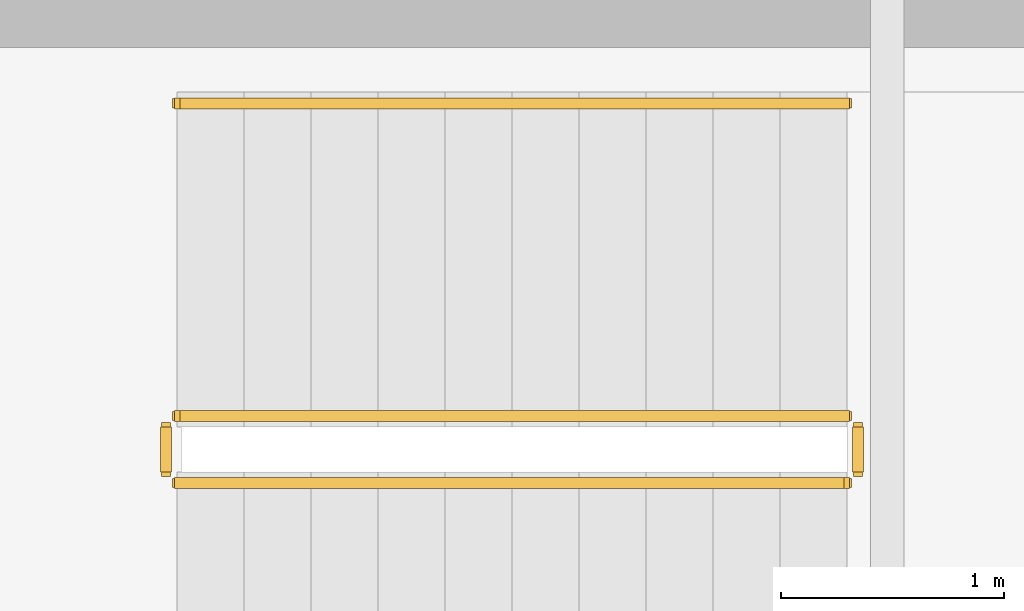
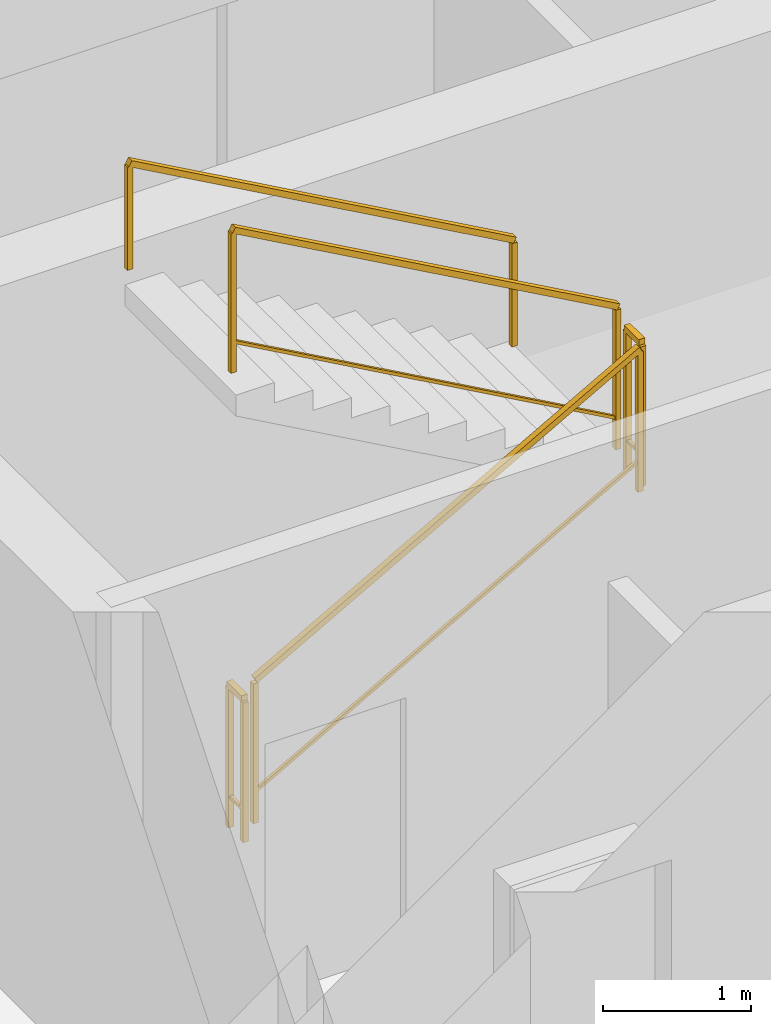
# One storey, part 10 of 10: 5 railings.
"""IFC4 building model written with IfcOpenShell, lengths in metres."""

from ifc_helpers import new_model, si_unit, direction, frame, origin, origin_2d, place, context, subcontext, project, spatial, rectangle, extrude, material, type_object, element, save


model = new_model("IFC4")

# Units and contexts
model_context = context("Model", 3, precision=1e-05, world=origin(), true_north=direction((0.0, 1.0)))
body_context = subcontext(model_context, "Body", "Model", "MODEL_VIEW")
ifc_project = project(units=[si_unit("LENGTHUNIT", "METRE"), si_unit("AREAUNIT", "SQUARE_METRE"), si_unit("VOLUMEUNIT", "CUBIC_METRE"), si_unit("PLANEANGLEUNIT", "RADIAN"), si_unit("MASSUNIT", "GRAM", prefix="KILO")], contexts=[model_context])

# Site, building, storey
site_placement = place(None, origin())
site = spatial("IfcSite", under=ifc_project, at=site_placement, CompositionType="ELEMENT")
building_placement = place(site_placement, origin())
building = spatial("IfcBuilding", under=site, at=building_placement, Name="Svetorya Sky Lyceum", CompositionType="ELEMENT")
storey_placement = place(building_placement, frame((0.0, 0.0, 188.5)))
storey = spatial("IfcBuildingStorey", under=building, at=storey_placement, Name="L47", CompositionType="ELEMENT", Elevation=188.5)

# Railings
ifc_material_1 = material(Name="Painted galvanized stair well guard")
railing_type_1 = type_object("IfcRailingType", Name="RL-STR-GUARD-1200", PredefinedType="GUARDRAIL", material=ifc_material_1)
railing_1_placement = place(storey_placement, frame((27.699951171875, 43.60009765625, 0.168212890625)))
element("IfcRailing", 1, at=railing_1_placement, inside=storey, type_object=railing_type_1, Name="L47 ST-N stair guard 1", PredefinedType="GUARDRAIL", context=body_context, shape_type="SweptSolid", body=[
    extrude(rectangle(XDim=0.048095703125, YDim=0.048095703125, at=origin_2d()), frame((0.0, 0.0, 1.17578125), z_axis=(0.872272294576, 0.0, 0.489020494575), x_axis=(0.0, 1.0, 0.0)), (0.0, 0.0, 1.0), 3.439208984375),
    extrude(rectangle(XDim=0.02392578125, YDim=0.02392578125, at=origin_2d()), frame((0.0, 0.0, 0.25), z_axis=(0.872272294576, 0.0, 0.489020494575), x_axis=(0.0, 1.0, 0.0)), (0.0, 0.0, 1.0), 3.439208984375),
    extrude(rectangle(XDim=0.0419921875, YDim=0.0419921875, at=origin_2d()), origin(), (0.0, 0.0, 1.0), 1.15185546875),
    extrude(rectangle(XDim=0.0419921875, YDim=0.0419921875, at=origin_2d()), frame((3.0, 0.0, 1.681884765625)), (0.0, 0.0, 1.0), 1.15185546875),
])
railing_2_placement = place(storey_placement, frame((30.75, 43.64990234375, 1.85009765625)))
element("IfcRailing", 2, at=railing_2_placement, inside=storey, type_object=railing_type_1, Name="L47 ST-N stair guard 2", PredefinedType="GUARDRAIL", context=body_context, shape_type="SweptSolid", body=[
    extrude(rectangle(XDim=0.048095703125, YDim=0.048095703125, at=origin_2d()), frame((0.0, 0.0, 1.17578125), z_axis=(0.0, 1.0, 0.0), x_axis=(-1.0, 0.0, 0.0)), (0.0, 0.0, 1.0), 0.2001953125),
    extrude(rectangle(XDim=0.02392578125, YDim=0.02392578125, at=origin_2d()), frame((0.0, 0.0, 0.25), z_axis=(0.0, 1.0, 0.0), x_axis=(-1.0, 0.0, 0.0)), (0.0, 0.0, 1.0), 0.2001953125),
    extrude(rectangle(XDim=0.0419921875, YDim=0.0419921875, at=origin_2d()), origin(), (0.0, 0.0, 1.0), 1.15185546875),
    extrude(rectangle(XDim=0.0419921875, YDim=0.0419921875, at=origin_2d()), frame((0.0, 0.2001953125, 0.0)), (0.0, 0.0, 1.0), 1.15185546875),
])
railing_3_placement = place(storey_placement, frame((30.699951171875, 43.89990234375, 2.01806640625)))
element("IfcRailing", 3, at=railing_3_placement, inside=storey, type_object=railing_type_1, Name="L47 ST-N stair guard 3", PredefinedType="GUARDRAIL", context=body_context, shape_type="SweptSolid", body=[
    extrude(rectangle(XDim=0.048095703125, YDim=0.048095703125, at=origin_2d()), frame((0.0, 0.0, 1.17578125), z_axis=(-0.872272294576, 0.0, 0.489020494575), x_axis=(0.0, -1.0, 0.0)), (0.0, 0.0, 1.0), 3.439208984375),
    extrude(rectangle(XDim=0.02392578125, YDim=0.02392578125, at=origin_2d()), frame((0.0, 0.0, 0.25), z_axis=(-0.872272294576, 0.0, 0.489020494575), x_axis=(0.0, -1.0, 0.0)), (0.0, 0.0, 1.0), 3.439208984375),
    extrude(rectangle(XDim=0.0419921875, YDim=0.0419921875, at=origin_2d()), origin(), (0.0, 0.0, 1.0), 1.15185546875),
    extrude(rectangle(XDim=0.0419921875, YDim=0.0419921875, at=origin_2d()), frame((-3.0, 0.0, 1.681884765625)), (0.0, 0.0, 1.0), 1.15185546875),
])
railing_4_placement = place(storey_placement, frame((27.64990234375, 43.64990234375, 0.0)))
element("IfcRailing", 4, at=railing_4_placement, inside=storey, type_object=railing_type_1, Name="L47 ST-N stair guard 4", PredefinedType="GUARDRAIL", context=body_context, shape_type="SweptSolid", body=[
    extrude(rectangle(XDim=0.048095703125, YDim=0.048095703125, at=origin_2d()), frame((0.0, 0.0, 1.17578125), z_axis=(0.0, 1.0, 0.0), x_axis=(-1.0, 0.0, 0.0)), (0.0, 0.0, 1.0), 0.2001953125),
    extrude(rectangle(XDim=0.02392578125, YDim=0.02392578125, at=origin_2d()), frame((0.0, 0.0, 0.25), z_axis=(0.0, 1.0, 0.0), x_axis=(-1.0, 0.0, 0.0)), (0.0, 0.0, 1.0), 0.2001953125),
    extrude(rectangle(XDim=0.0419921875, YDim=0.0419921875, at=origin_2d()), origin(), (0.0, 0.0, 1.0), 1.15185546875),
    extrude(rectangle(XDim=0.0419921875, YDim=0.0419921875, at=origin_2d()), frame((0.0, 0.2001953125, 0.0)), (0.0, 0.0, 1.0), 1.15185546875),
])
ifc_material_2 = material(Name="Brushed stainless AISI 304 stair handrail")
railing_type_2 = type_object("IfcRailingType", Name="RL-STR-HAND-920", PredefinedType="HANDRAIL", material=ifc_material_2)
railing_5_placement = place(storey_placement, frame((30.699951171875, 45.300048828125, 2.01806640625)))
element("IfcRailing", 5, at=railing_5_placement, inside=storey, type_object=railing_type_2, Name="L47 ST-N stair handrail 2", PredefinedType="HANDRAIL", context=body_context, shape_type="SweptSolid", body=[
    extrude(rectangle(XDim=0.048095703125, YDim=0.048095703125, at=origin_2d()), frame((0.0, 0.0, 0.8759765625), z_axis=(-0.872272294576, 0.0, 0.489020494575), x_axis=(0.0, -1.0, 0.0)), (0.0, 0.0, 1.0), 3.439208984375),
    extrude(rectangle(XDim=0.0419921875, YDim=0.0419921875, at=origin_2d()), origin(), (0.0, 0.0, 1.0), 0.851806640625),
    extrude(rectangle(XDim=0.0419921875, YDim=0.0419921875, at=origin_2d()), frame((-3.0, 0.0, 1.681884765625)), (0.0, 0.0, 1.0), 0.851806640625),
])

save(model, "model.ifc")
